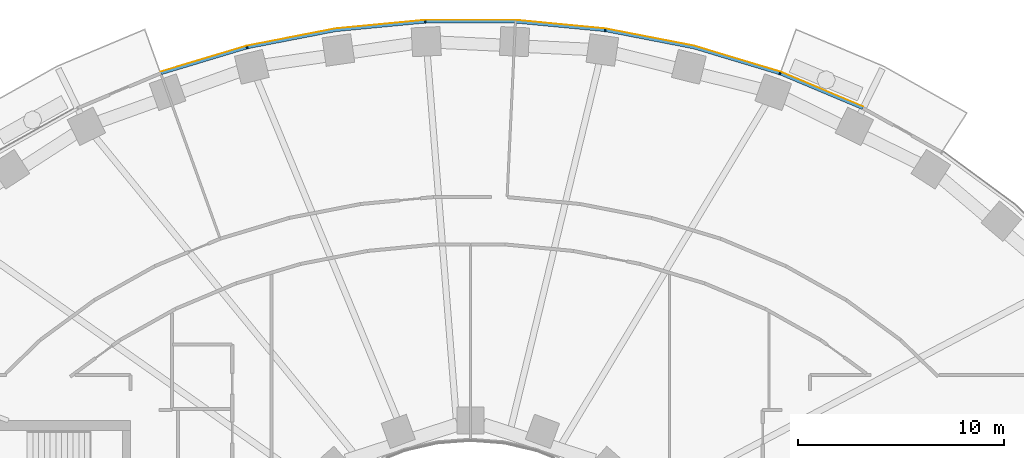
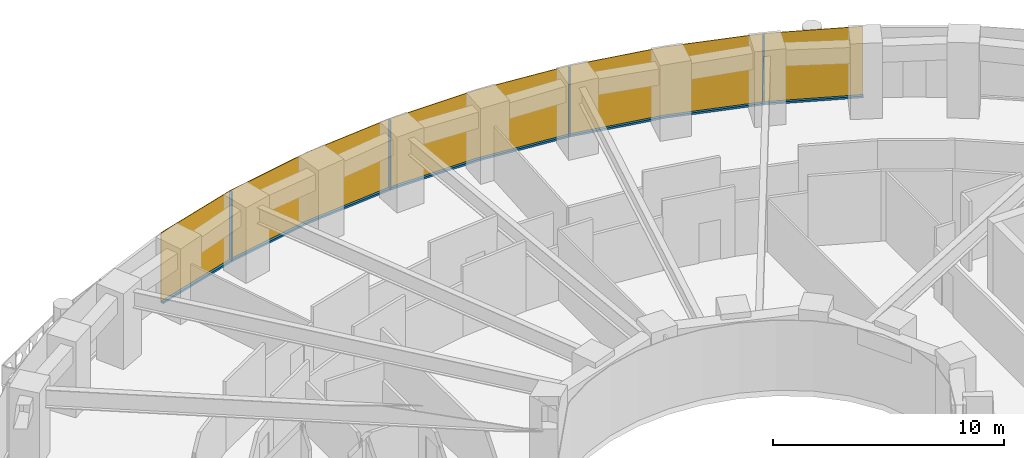
# One storey, part 13 of 16: 9 members, 1 curtain wall.
"""IFC4 building model written with IfcOpenShell, lengths in metres."""

import ifcopenshell
import ifcopenshell.guid

model = None  # the IFC model being written
_history = None  # IfcOwnerHistory: only IFC2X3 demands one
_inside = {}  # id of a spatial element -> (the spatial element, [elements in it])
_under = {}  # id of a project, library or spatial element -> (it, [spatial elements below it])
_declared = {}  # id of a project -> (the project, [libraries it declares])
_typed = {}  # id of a type object -> (the type object, [elements of that type])
_made_of = {}  # id of a material, layer set ... -> (it, [elements and type objects made of it])


def new_model(schema):
    """Start an empty IFC model of exactly this schema.

    Asked for "IFC4X3", IfcOpenShell would pick the latest addendum, in which some entities
    have other attributes; the version numbers below select the first issue.
    IFC2X3 requires an IfcOwnerHistory on every rooted entity: one is made here for all.
    """
    global model, _history
    if schema == "IFC4X3":
        model = ifcopenshell.file(schema_version=(4, 3, 0, 0))
    else:
        model = ifcopenshell.file(schema=schema)
    _inside.clear()
    _under.clear()
    _declared.clear()
    _typed.clear()
    _made_of.clear()
    _history = None
    if model.schema == "IFC2X3":
        org = make("IfcOrganization", Name="unknown")
        user = make(
            "IfcPersonAndOrganization",
            ThePerson=make("IfcPerson", FamilyName="unknown"),
            TheOrganization=org,
        )
        app = make(
            "IfcApplication",
            ApplicationDeveloper=org,
            Version="unknown",
            ApplicationFullName="unknown",
            ApplicationIdentifier="unknown",
        )
        _history = make(
            "IfcOwnerHistory",
            OwningUser=user,
            OwningApplication=app,
            ChangeAction="ADDED",
            CreationDate=0,
        )
    return model


def make(cls, **values):
    """One entity of the class cls with the attributes given. An attribute that is None is left unset."""
    return model.create_entity(
        cls, **{name: value for name, value in values.items() if value is not None}
    )


def rooted(cls, **values):
    """An entity with a GlobalId (a new one), such as an element, a storey or a relation."""
    return make(cls, GlobalId=ifcopenshell.guid.new(), OwnerHistory=_history, **values)


def si_unit(unit_type, name, prefix=None):
    """IfcSIUnit, for example si_unit("LENGTHUNIT", "METRE", prefix="MILLI")."""
    return make("IfcSIUnit", UnitType=unit_type, Prefix=prefix, Name=name)


def assignment(units):
    """IfcUnitAssignment: the units of a project."""
    return None if units is None else make("IfcUnitAssignment", Units=units)


def point(xyz):
    """IfcCartesianPoint."""
    return None if xyz is None else make("IfcCartesianPoint", Coordinates=xyz)


def direction(xyz):
    """IfcDirection."""
    return None if xyz is None else make("IfcDirection", DirectionRatios=xyz)


def frame(location, z_axis=None, x_axis=None):
    """IfcAxis2Placement3D, a coordinate frame: its origin and axes. An axis left out is left unset."""
    return make(
        "IfcAxis2Placement3D",
        Location=point(location),
        Axis=direction(z_axis),
        RefDirection=direction(x_axis),
    )


def frame_2d(location, x_axis=None):
    """IfcAxis2Placement2D, a coordinate frame in the plane: its origin and x axis."""
    return make(
        "IfcAxis2Placement2D", Location=point(location), RefDirection=direction(x_axis)
    )


def origin():
    """The frame at (0, 0, 0) with its axes left unset."""
    return frame((0.0, 0.0, 0.0))


def origin_2d():
    """The frame at (0, 0) in the plane with its x axis left unset."""
    return frame_2d((0.0, 0.0))


def place(relative_to, where):
    """IfcLocalPlacement: puts the frame where relative to a parent placement (None: the world)."""
    return make(
        "IfcLocalPlacement", PlacementRelTo=relative_to, RelativePlacement=where
    )


def context(
    kind, dimensions, precision=None, world=None, true_north=None, identifier=None
):
    """IfcGeometricRepresentationContext, for example the 3D "Model" context."""
    return make(
        "IfcGeometricRepresentationContext",
        ContextIdentifier=identifier,
        ContextType=kind,
        CoordinateSpaceDimension=dimensions,
        Precision=precision,
        WorldCoordinateSystem=world,
        TrueNorth=true_north,
    )


def subcontext(parent, identifier, kind, view, scale=None):
    """IfcGeometricRepresentationSubContext, for example "Body" below "Model"."""
    return make(
        "IfcGeometricRepresentationSubContext",
        ContextIdentifier=identifier,
        ContextType=kind,
        ParentContext=parent,
        TargetScale=scale,
        TargetView=view,
    )


def project(units=None, contexts=None):
    """IfcProject with its units and contexts."""
    return rooted(
        "IfcProject",
        Name="project",
        RepresentationContexts=contexts,
        UnitsInContext=assignment(units),
    )


def spatial(cls, under=None, at=None, **own):
    """A site, building, storey or space (cls), placed at a placement, below another one or the project."""
    s = rooted(cls, ObjectPlacement=at, **own)
    if under is not None:
        _under.setdefault(under.id(), (under, []))[1].append(s)
    return s


def polyline(points):
    """IfcPolyline through the points."""
    return make("IfcPolyline", Points=[point(p) for p in points])


def profile(cls, at=None, kind="AREA", **sizes):
    """A parametric profile (cls). Its sizes go by their IFC names, for example OverallWidth=200.0."""
    return make(cls, ProfileType=kind, Position=at, **sizes)


def rectangle(**sizes):
    """IfcRectangleProfileDef."""
    return profile("IfcRectangleProfileDef", **sizes)


def outline(outer, holes=None, kind="AREA"):
    """IfcArbitraryClosedProfileDef: a profile drawn as a closed curve; with holes, ...WithVoids."""
    if holes is None:
        return make("IfcArbitraryClosedProfileDef", ProfileType=kind, OuterCurve=outer)
    return make(
        "IfcArbitraryProfileDefWithVoids",
        ProfileType=kind,
        OuterCurve=outer,
        InnerCurves=holes,
    )


def extrude(swept, where, along, depth):
    """IfcExtrudedAreaSolid: the profile swept, set in the frame where, extruded along a direction by depth."""
    return make(
        "IfcExtrudedAreaSolid",
        SweptArea=swept,
        Position=where,
        ExtrudedDirection=direction(along),
        Depth=depth,
    )


def shape(context_of_items, identifier, shape_type, items):
    """IfcShapeRepresentation: the items that make up one representation, for example the "Body"."""
    return make(
        "IfcShapeRepresentation",
        ContextOfItems=context_of_items,
        RepresentationIdentifier=identifier,
        RepresentationType=shape_type,
        Items=items,
    )


def material(Name=None, Category=None):
    """IfcMaterial."""
    return make("IfcMaterial", Name=Name, Category=Category)


def layer(
    of_material, thickness, ventilated=None, Name=None, Category=None, Priority=None
):
    """IfcMaterialLayer: one layer of a wall or slab, of a material (None: an air gap)."""
    return make(
        "IfcMaterialLayer",
        Material=of_material,
        LayerThickness=thickness,
        IsVentilated=ventilated,
        Name=Name,
        Category=Category,
        Priority=Priority,
    )


def layer_set(layers, Name=None):
    """IfcMaterialLayerSet."""
    return make("IfcMaterialLayerSet", MaterialLayers=layers, LayerSetName=Name)


def material_profile(
    of_material, cross_section, Name=None, Category=None, Priority=None
):
    """IfcMaterialProfile: a cross section and its material."""
    return make(
        "IfcMaterialProfile",
        Name=Name,
        Material=of_material,
        Profile=cross_section,
        Priority=Priority,
        Category=Category,
    )


def profile_set(profiles, Name=None, composite=None):
    """IfcMaterialProfileSet."""
    return make(
        "IfcMaterialProfileSet",
        Name=Name,
        MaterialProfiles=profiles,
        CompositeProfile=composite,
    )


def made_of(thing, what):
    """Note that an element or type object is made of a material, layer set ...; save() writes the relation."""
    if what is not None:
        _made_of.setdefault(what.id(), (what, []))[1].append(thing)
    return thing


def type_object(cls, material=None, **own):
    """A type object (cls), such as IfcWallType, which elements share."""
    return made_of(rooted(cls, **own), material)


def element(
    cls,
    number,
    at=None,
    inside=None,
    cuts=None,
    type_object=None,
    material=None,
    context=None,
    identifier="Body",
    shape_type=None,
    held_by="IfcProductDefinitionShape",
    body=None,
    shapes=None,
    **own,
):
    """One element of the class cls, such as IfcWall. Its Tag is "e" and its number.

    at: its placement. inside: the storey or other place that contains it. cuts: it is an
    opening in that element (IfcRelVoidsElement). A single representation is given by context,
    identifier, shape_type and body (its items); several are given by shapes. held_by: the class
    of the entity that holds the representations. save() writes the other relations.
    """
    e = rooted(cls, Tag="e%d" % number, ObjectPlacement=at, **own)
    if body is not None:
        shapes = [shape(context, identifier, shape_type, body)]
    if shapes is not None:
        e.Representation = make(held_by, Representations=shapes)
    if inside is not None:
        _inside.setdefault(inside.id(), (inside, []))[1].append(e)
    if cuts is not None:
        rooted(
            "IfcRelVoidsElement", RelatingBuildingElement=cuts, RelatedOpeningElement=e
        )
    if type_object is not None:
        _typed.setdefault(type_object.id(), (type_object, []))[1].append(e)
    return made_of(e, material)


def aggregate(whole, parts):
    """IfcRelAggregates: a whole, such as a stair, and the parts it consists of."""
    return rooted("IfcRelAggregates", RelatingObject=whole, RelatedObjects=parts)


def save(model, path):
    """Write the relations noted so far, then the file.

    IfcRelAggregates (storeys below a building ...), IfcRelContainedInSpatialStructure (elements
    in a storey), IfcRelDefinesByType, IfcRelAssociatesMaterial and IfcRelDeclares: one each for
    every whole, place, type object, material and project.
    """
    for whole, parts in _under.values():
        aggregate(whole, parts)
    for where, things in _inside.values():
        rooted(
            "IfcRelContainedInSpatialStructure",
            RelatedElements=things,
            RelatingStructure=where,
        )
    for kind, things in _typed.values():
        rooted("IfcRelDefinesByType", RelatedObjects=things, RelatingType=kind)
    for what, things in _made_of.values():
        rooted("IfcRelAssociatesMaterial", RelatedObjects=things, RelatingMaterial=what)
    for by, libraries in _declared.values():
        rooted("IfcRelDeclares", RelatingContext=by, RelatedDefinitions=libraries)
    model.write(path)


model = new_model("IFC4")

# Units and contexts
model_context = context("Model", 3, precision=1e-05, world=origin(), true_north=direction((0.0, 1.0)))
body_context = subcontext(model_context, "Body", "Model", "MODEL_VIEW")
ifc_project = project(units=[si_unit("LENGTHUNIT", "METRE"), si_unit("AREAUNIT", "SQUARE_METRE"), si_unit("VOLUMEUNIT", "CUBIC_METRE"), si_unit("PLANEANGLEUNIT", "RADIAN"), si_unit("MASSUNIT", "GRAM", prefix="KILO")], contexts=[model_context])

# Member
ifc_material_1 = material(Name="Aluminium 6063-T6 black anodised", Category="aluminium")
ifc_material_profile = material_profile(ifc_material_1, rectangle(XDim=0.1201171875, YDim=0.06005859375, at=origin_2d()), Name="120x60")
ifc_profile_set = profile_set([ifc_material_profile], Name="Aluminium 6063-T6 black anodised")
member_type_1 = type_object("IfcMemberType", Name="ENV-MULLION-A-120", PredefinedType="MULLION", material=ifc_profile_set)
site_placement = place(None, origin())
building_placement = place(site_placement, origin())
storey_placement = place(building_placement, frame((0.0, 0.0, 74.5)))
member_1_placement = place(storey_placement, frame((15.0341796875, 25.34375, 0.0), z_axis=(0.0, 0.0, 1.0), x_axis=(-0.338379256581, -0.941009818608, 0.0)))
member_1 = element("IfcMember", 1, at=member_1_placement, type_object=member_type_1, Name="Mullion A radial 09", PredefinedType="MULLION", context=body_context, shape_type="SweptSolid", body=[
    extrude(rectangle(XDim=0.1201171875, YDim=0.06005859375, at=origin_2d()), origin(), (0.0, 0.0, 1.0), 3.699951171875),
])

member_2_placement = place(storey_placement, frame((6.54638671875, 27.440185546875, 0.0), z_axis=(0.0, 0.0, 1.0), x_axis=(-0.143082012705, -0.989710835366, 0.0)))
member_2 = element("IfcMember", 2, at=member_2_placement, type_object=member_type_1, Name="Mullion A radial 11", PredefinedType="MULLION", context=body_context, shape_type="SweptSolid", body=[
    extrude(rectangle(XDim=0.1201171875, YDim=0.06005859375, at=origin_2d()), origin(), (0.0, 0.0, 1.0), 3.699951171875),
])

member_3_placement = place(storey_placement, frame((-2.188720703125, 27.856201171875, 0.0), z_axis=(0.0, 0.0, 1.0), x_axis=(0.047557873581, -0.998868484166, 0.0)))
member_3 = element("IfcMember", 3, at=member_3_placement, type_object=member_type_1, Name="Mullion A radial 13", PredefinedType="MULLION", context=body_context, shape_type="SweptSolid", body=[
    extrude(rectangle(XDim=0.1201171875, YDim=0.06005859375, at=origin_2d()), origin(), (0.0, 0.0, 1.0), 3.699951171875),
])

member_4_placement = place(storey_placement, frame((-10.84326171875, 26.60498046875, 0.0), z_axis=(0.0, 0.0, 1.0), x_axis=(0.239799081534, -0.970822538106, 0.0)))
member_4 = element("IfcMember", 4, at=member_4_placement, type_object=member_type_1, Name="Mullion A radial 15", PredefinedType="MULLION", context=body_context, shape_type="SweptSolid", body=[
    extrude(rectangle(XDim=0.1201171875, YDim=0.06005859375, at=origin_2d()), origin(), (0.0, 0.0, 1.0), 3.699951171875),
])

ifc_material_2 = material(Name="Aluminium 6063-T6 black anodised", Category="aluminium")
member_type_2 = type_object("IfcMemberType", Name="ENV-TRANSOM-A", PredefinedType="USERDEFINED", material=ifc_material_2)
member_5_placement = place(storey_placement, origin())
member_5 = element("IfcMember", 5, at=member_5_placement, type_object=member_type_2, Name="Transom A radial 08-09", ObjectType="TRANSOM", PredefinedType="USERDEFINED", context=body_context, shape_type="SweptSolid", body=[
    extrude(outline(polyline([(19.07568359375, 23.709228515625), (15.080322265625, 25.389404296875), (15.03955078125, 25.276123046875), (19.02294921875, 23.601318359375), (19.07568359375, 23.709228515625)])), origin(), (0.0, 0.0, 1.0), 0.10009765625),
])

member_6_placement = place(storey_placement, origin())
member_6 = element("IfcMember", 6, at=member_6_placement, type_object=member_type_2, Name="Transom A radial 09-11", ObjectType="TRANSOM", PredefinedType="USERDEFINED", context=body_context, shape_type="SweptSolid", body=[
    extrude(outline(polyline([(15.027587890625, 25.408203125), (10.857666015625, 26.6630859375), (6.58251953125, 27.494140625), (6.5654296875, 27.375244140625), (10.828857421875, 26.54638671875), (14.987060546875, 25.295166015625), (15.027587890625, 25.408203125)])), origin(), (0.0, 0.0, 1.0), 0.10009765625),
])

member_7_placement = place(storey_placement, origin())
member_7 = element("IfcMember", 7, at=member_7_placement, type_object=member_type_2, Name="Transom A radial 11-13", ObjectType="TRANSOM", PredefinedType="USERDEFINED", context=body_context, shape_type="SweptSolid", body=[
    extrude(outline(polyline([(6.527099609375, 27.502197265625), (2.191650390625, 27.916015625), (-2.163818359375, 27.916015625), (-2.157958984375, 27.7958984375), (2.185791015625, 27.7958984375), (6.510009765625, 27.38330078125), (6.527099609375, 27.502197265625)])), origin(), (0.0, 0.0, 1.0), 0.10009765625),
])

member_8_placement = place(storey_placement, origin())
member_8 = element("IfcMember", 8, at=member_8_placement, type_object=member_type_2, Name="Transom A radial 13-15", ObjectType="TRANSOM", PredefinedType="USERDEFINED", context=body_context, shape_type="SweptSolid", body=[
    extrude(outline(polyline([(-2.219482421875, 27.913330078125), (-6.55517578125, 27.49951171875), (-10.830078125, 26.66845703125), (-10.80126953125, 26.552001953125), (-6.537841796875, 27.380615234375), (-2.2138671875, 27.793212890625), (-2.219482421875, 27.913330078125)])), origin(), (0.0, 0.0, 1.0), 0.10009765625),
])

member_9_placement = place(storey_placement, origin())
member_9 = element("IfcMember", 9, at=member_9_placement, type_object=member_type_2, Name="Transom A radial 15-16", ObjectType="TRANSOM", PredefinedType="USERDEFINED", context=body_context, shape_type="SweptSolid", body=[
    extrude(outline(polyline([(-10.884521484375, 26.655029296875), (-15.035400390625, 25.406005859375), (-14.99462890625, 25.292724609375), (-10.855712890625, 26.53857421875), (-10.884521484375, 26.655029296875)])), origin(), (0.0, 0.0, 1.0), 0.10009765625),
])

# Site, building, storey
site = spatial("IfcSite", under=ifc_project, at=site_placement, CompositionType="ELEMENT")
building = spatial("IfcBuilding", under=site, at=building_placement, Name="Noorbagh Ring Tower", CompositionType="ELEMENT")
storey = spatial("IfcBuildingStorey", under=building, at=storey_placement, Name="L16", CompositionType="ELEMENT", Elevation=74.5)

# Curtain wall
ifc_material_3 = material(Name="Glass dark tinted laminated", Category="glass")
ifc_layer = layer(ifc_material_3, 0.031982421875)
ifc_layer_set = layer_set([ifc_layer], Name="Glass dark tinted laminated")
curtain_wall_type = type_object("IfcCurtainWallType", Name="ENV-CW-A", PredefinedType="NOTDEFINED", material=ifc_layer_set)
curtain_wall_placement = place(storey_placement, origin())
curtain_wall = element("IfcCurtainWall", 10, at=curtain_wall_placement, inside=storey, type_object=curtain_wall_type, Name="Curtain wall A R08", PredefinedType="NOTDEFINED", context=body_context, shape_type="SweptSolid", body=[
    extrude(outline(polyline([(19.08984375, 23.738037109375), (15.065185546875, 25.430419921875), (10.865234375, 26.6943359375), (6.559814453125, 27.53125), (2.193115234375, 27.947998046875), (-2.193115234375, 27.947998046875), (-6.559814453125, 27.53125), (-10.865234375, 26.6943359375), (-15.046142578125, 25.43603515625), (-15.035400390625, 25.406005859375), (-10.857666015625, 26.6630859375), (-6.55517578125, 27.49951171875), (-2.191650390625, 27.916015625), (2.191650390625, 27.916015625), (6.55517578125, 27.49951171875), (10.857666015625, 26.6630859375), (15.054443359375, 25.400146484375), (19.07568359375, 23.709228515625), (19.08984375, 23.738037109375)])), origin(), (0.0, 0.0, 1.0), 3.699951171875),
])

aggregate(curtain_wall, [member_1, member_2, member_3, member_4, member_5, member_6, member_7, member_8, member_9])

save(model, "model.ifc")
